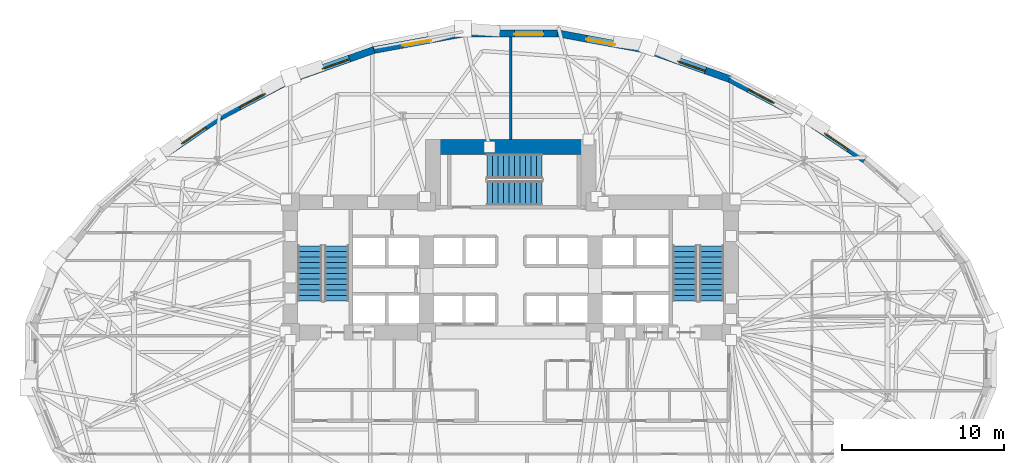
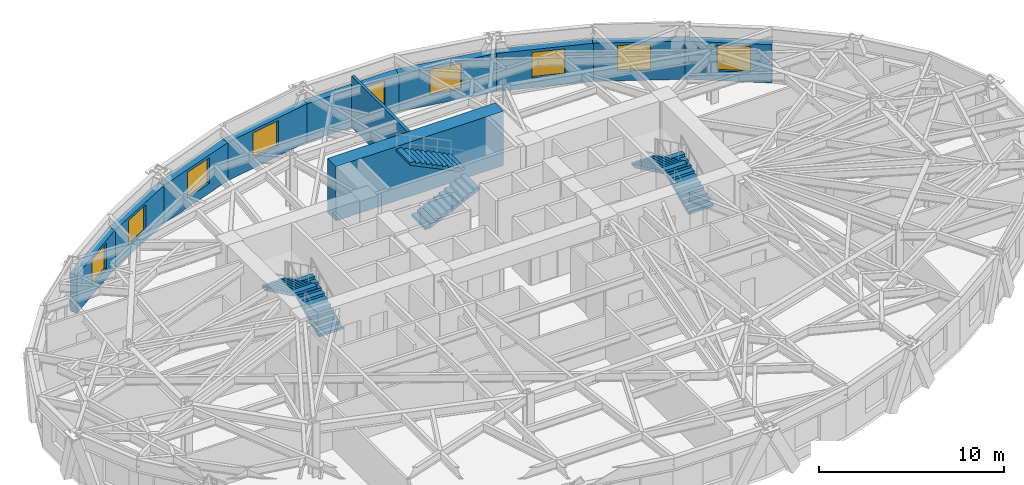
# One storey, part 10 of 14: 11 walls, 9 windows, 6 stair flights, 9 openings, 3 elements without a shape of their own.
"""IFC4 building model written with IfcOpenShell, lengths in metres."""

from ifc_helpers import new_model, si_unit, direction, frame, frame_2d, origin, place, context, subcontext, project, spatial, polyline, rectangle, outline, extrude, material, layer, layer_set, type_object, element, fill, aggregate, save


model = new_model("IFC4")

# Units and contexts
model_context = context("Model", 3, precision=1e-05, world=origin(), true_north=direction((0.0, 1.0)))
body_context = subcontext(model_context, "Body", "Model", "MODEL_VIEW")
ifc_project = project(units=[si_unit("LENGTHUNIT", "METRE"), si_unit("AREAUNIT", "SQUARE_METRE"), si_unit("VOLUMEUNIT", "CUBIC_METRE"), si_unit("PLANEANGLEUNIT", "RADIAN"), si_unit("MASSUNIT", "GRAM", prefix="KILO")], contexts=[model_context])

# Site, building, storey
site_placement = place(None, origin())
site = spatial("IfcSite", under=ifc_project, at=site_placement, CompositionType="ELEMENT")
building_placement = place(site_placement, origin())
building = spatial("IfcBuilding", under=site, at=building_placement, Name="Keldmark Tower", CompositionType="ELEMENT")
storey_placement = place(building_placement, frame((0.0, 0.0, 66.60009765625)))
storey = spatial("IfcBuildingStorey", under=building, at=storey_placement, Name="L17", CompositionType="ELEMENT", Elevation=66.60009765625)

# Walls
ifc_material_1 = material(Name="STC-58 Insulated Tenant Demising Gypsum Partition", Category="gypsum")
ifc_layer_1 = layer(ifc_material_1, 0.175048828125)
ifc_layer_set_1 = layer_set([ifc_layer_1], Name="STC-58 Insulated Tenant Demising Gypsum Partition")
wall_type_1 = type_object("IfcWallType", Name="Demising Suite Partition 175 mm", PredefinedType="PARTITIONING", material=ifc_layer_set_1)
wall_1_placement = place(storey_placement, frame((0.0, 13.300048828125, 0.0), z_axis=(0.0, 0.0, 1.0), x_axis=(0.0, 1.0, 0.0)))
element("IfcWall", 1, at=wall_1_placement, inside=storey, type_object=wall_type_1, Name="L17 Demising Suite Partition 175 mm N-MID-DIV", PredefinedType="PARTITIONING", context=body_context, shape_type="SweptSolid", body=[
    extrude(rectangle(XDim=6.33642578125, YDim=0.175048828125, at=frame_2d((3.168212890625, 0.0))), origin(), (0.0, 0.0, 1.0), 3.39990234375),
])
ifc_material_2 = material(Name="Concrete C70/85", Category="concrete")
ifc_layer_2 = layer(ifc_material_2, 0.89990234375)
ifc_layer_set_2 = layer_set([ifc_layer_2], Name="Concrete C70/85")
wall_type_2 = type_object("IfcWallType", Name="Lower Core Shear Wall 900 mm", PredefinedType="SHEAR", material=ifc_layer_set_2)
wall_2_placement = place(storey_placement, frame((-5.25, 12.85009765625, 0.0), z_axis=(0.0, 0.0, 1.0), x_axis=(1.0, 0.0, 0.0)))
element("IfcWall", 2, at=wall_2_placement, inside=storey, type_object=wall_type_2, Name="L17 North Core Shear Wall", PredefinedType="SHEAR", context=body_context, shape_type="SweptSolid", body=[
    extrude(rectangle(XDim=10.5, YDim=0.89990234375, at=frame_2d((5.25, 0.0))), origin(), (0.0, 0.0, 1.0), 3.599853515625),
])

# Wall, opening, window
ifc_material_3 = material(Name="Ironspot Manganese Brick and Kasota Buff Limestone Spandrel Assembly", Category="masonry")
ifc_layer_3 = layer(ifc_material_3, 0.43994140625)
ifc_layer_set_3 = layer_set([ifc_layer_3], Name="Ironspot Manganese Brick and Kasota Buff Limestone Spandrel Assembly")
wall_type_3 = type_object("IfcWallType", Name="Tower Brick Pier and Spandrel Wall 440 mm", PredefinedType="STANDARD", material=ifc_layer_set_3)
wall_3_placement = place(storey_placement, frame((17.9248046875, 14.7294921875, 0.0), z_axis=(0.0, 0.0, 1.0), x_axis=(0.827689135004, -0.561186863528, 0.0)))
wall_3 = element("IfcWall", 3, at=wall_3_placement, inside=storey, type_object=wall_type_3, Name="L17 Exterior Brick and Spandrel Wall 04", PredefinedType="STANDARD", context=body_context, shape_type="SweptSolid", body=[
    extrude(rectangle(XDim=4.7646484375, YDim=0.43994140625, at=frame_2d((2.38232421875, 0.0))), origin(), (0.0, 0.0, 1.0), 2.52880859375),
])
opening_1_placement = place(wall_3_placement, frame((1.7783203125, 0.0, 0.64990234375)))
opening_1 = element("IfcOpeningElement", 4, at=opening_1_placement, cuts=wall_3, Name="Opening W-02", PredefinedType="OPENING", context=body_context, shape_type="SweptSolid", body=[
    extrude(rectangle(XDim=1.800048828125, YDim=1.699951171875, at=frame_2d((0.89990234375, 0.85009765625))), frame((0.0, 0.22998046875, 0.0), z_axis=(0.0, -1.0, 0.0), x_axis=(1.0, 0.0, 0.0)), (0.0, 0.0, 1.0), 0.4599609375),
])
ifc_material_4 = material(Name="Thermally Broken Anodized Aluminum and Triple Low-E Argon Glazing", Category="aluminium")
window_type = type_object("IfcWindowType", Name="Office Deep-Set Triple Window 1800x1700", PartitioningType="TRIPLE_PANEL_VERTICAL", PredefinedType="WINDOW", material=ifc_material_4)
window_1_placement = place(opening_1_placement, origin())
window_1 = element("IfcWindow", 5, at=window_1_placement, inside=storey, type_object=window_type, Name="L17 Deep-Set Window 04", OverallHeight=1.699951171875, OverallWidth=1.800048828125, PartitioningType="SINGLE_PANEL", PredefinedType="WINDOW", context=body_context, shape_type="SweptSolid", body=[
    extrude(rectangle(XDim=1.800048828125, YDim=1.699951171875, at=frame_2d((0.89990234375, 0.85009765625))), frame((0.0, -0.010009765625, 0.0), z_axis=(0.0, -1.0, 0.0), x_axis=(1.0, 0.0, 0.0)), (0.0, 0.0, 1.0), 0.06005859375),
])
fill(opening_1, window_1)

wall_4_placement = place(storey_placement, frame((13.497802734375, 17.057861328125, 0.0), z_axis=(0.0, 0.0, 1.0), x_axis=(0.884937186938, -0.465710398395, 0.0)))
wall_4 = element("IfcWall", 6, at=wall_4_placement, inside=storey, type_object=wall_type_3, Name="L17 Exterior Brick and Spandrel Wall 05", PredefinedType="STANDARD", context=body_context, shape_type="SweptSolid", body=[
    extrude(rectangle(XDim=5.0263671875, YDim=0.43994140625, at=frame_2d((2.51318359375, 0.0))), origin(), (0.0, 0.0, 1.0), 2.52880859375),
])
opening_2_placement = place(wall_4_placement, frame((1.340576171875, 0.0, 0.64990234375)))
opening_2 = element("IfcOpeningElement", 7, at=opening_2_placement, cuts=wall_4, Name="Opening W-02", PredefinedType="OPENING", context=body_context, shape_type="SweptSolid", body=[
    extrude(rectangle(XDim=1.800048828125, YDim=1.699951171875, at=frame_2d((0.89990234375, 0.85009765625))), frame((0.0, 0.22998046875, 0.0), z_axis=(0.0, -1.0, 0.0), x_axis=(1.0, 0.0, 0.0)), (0.0, 0.0, 1.0), 0.4599609375),
])
window_2_placement = place(opening_2_placement, origin())
window_2 = element("IfcWindow", 8, at=window_2_placement, inside=storey, type_object=window_type, Name="L17 Deep-Set Window 05", OverallHeight=1.699951171875, OverallWidth=1.800048828125, PartitioningType="SINGLE_PANEL", PredefinedType="WINDOW", context=body_context, shape_type="SweptSolid", body=[
    extrude(rectangle(XDim=1.800048828125, YDim=1.699951171875, at=frame_2d((0.89990234375, 0.85009765625))), frame((0.0, -0.010009765625, 0.0), z_axis=(0.0, -1.0, 0.0), x_axis=(1.0, 0.0, 0.0)), (0.0, 0.0, 1.0), 0.06005859375),
])
fill(opening_2, window_2)

wall_5_placement = place(storey_placement, frame((8.4501953125, 18.844970703125, 0.0), z_axis=(0.0, 0.0, 1.0), x_axis=(0.942515730584, -0.334161783575, 0.0)))
wall_5 = element("IfcWall", 9, at=wall_5_placement, inside=storey, type_object=wall_type_3, Name="L17 Exterior Brick and Spandrel Wall 06", PredefinedType="STANDARD", context=body_context, shape_type="SweptSolid", body=[
    extrude(rectangle(XDim=5.385986328125, YDim=0.43994140625, at=frame_2d((2.69287109375, 0.0))), origin(), (0.0, 0.0, 1.0), 2.52880859375),
])
opening_3_placement = place(wall_5_placement, frame((1.9921875, 0.0, 0.64990234375)))
opening_3 = element("IfcOpeningElement", 10, at=opening_3_placement, cuts=wall_5, Name="Opening W-02", PredefinedType="OPENING", context=body_context, shape_type="SweptSolid", body=[
    extrude(rectangle(XDim=1.800048828125, YDim=1.699951171875, at=frame_2d((0.89990234375, 0.85009765625))), frame((0.0, 0.22998046875, 0.0), z_axis=(0.0, -1.0, 0.0), x_axis=(1.0, 0.0, 0.0)), (0.0, 0.0, 1.0), 0.4599609375),
])
window_3_placement = place(opening_3_placement, origin())
window_3 = element("IfcWindow", 11, at=window_3_placement, inside=storey, type_object=window_type, Name="L17 Deep-Set Window 06", OverallHeight=1.699951171875, OverallWidth=1.800048828125, PartitioningType="SINGLE_PANEL", PredefinedType="WINDOW", context=body_context, shape_type="SweptSolid", body=[
    extrude(rectangle(XDim=1.800048828125, YDim=1.699951171875, at=frame_2d((0.89990234375, 0.85009765625))), frame((0.0, -0.010009765625, 0.0), z_axis=(0.0, -1.0, 0.0), x_axis=(1.0, 0.0, 0.0)), (0.0, 0.0, 1.0), 0.06005859375),
])
fill(opening_3, window_3)

wall_6_placement = place(storey_placement, frame((2.877685546875, 19.8681640625, 0.0), z_axis=(0.0, 0.0, 1.0), x_axis=(0.983468646836, -0.181078493177, 0.0)))
wall_6 = element("IfcWall", 12, at=wall_6_placement, inside=storey, type_object=wall_type_3, Name="L17 Exterior Brick and Spandrel Wall 07", PredefinedType="STANDARD", context=body_context, shape_type="SweptSolid", body=[
    extrude(rectangle(XDim=5.700439453125, YDim=0.43994140625, at=frame_2d((2.85009765625, 0.0))), origin(), (0.0, 0.0, 1.0), 2.52880859375),
])
opening_4_placement = place(wall_6_placement, frame((1.826904296875, 0.0, 0.64990234375)))
opening_4 = element("IfcOpeningElement", 13, at=opening_4_placement, cuts=wall_6, Name="Opening W-02", PredefinedType="OPENING", context=body_context, shape_type="SweptSolid", body=[
    extrude(rectangle(XDim=1.800048828125, YDim=1.699951171875, at=frame_2d((0.89990234375, 0.85009765625))), frame((0.0, 0.22998046875, 0.0), z_axis=(0.0, -1.0, 0.0), x_axis=(1.0, 0.0, 0.0)), (0.0, 0.0, 1.0), 0.4599609375),
])
window_4_placement = place(opening_4_placement, origin())
window_4 = element("IfcWindow", 14, at=window_4_placement, inside=storey, type_object=window_type, Name="L17 Deep-Set Window 07", OverallHeight=1.699951171875, OverallWidth=1.800048828125, PartitioningType="SINGLE_PANEL", PredefinedType="WINDOW", context=body_context, shape_type="SweptSolid", body=[
    extrude(rectangle(XDim=1.800048828125, YDim=1.699951171875, at=frame_2d((0.89990234375, 0.85009765625))), frame((0.0, -0.010009765625, 0.0), z_axis=(0.0, -1.0, 0.0), x_axis=(1.0, 0.0, 0.0)), (0.0, 0.0, 1.0), 0.06005859375),
])
fill(opening_4, window_4)

wall_7_placement = place(storey_placement, frame((-2.91748046875, 19.864501953125, 0.0), z_axis=(0.0, 0.0, 1.0), x_axis=(1.0, 0.0, 0.0)))
wall_7 = element("IfcWall", 15, at=wall_7_placement, inside=storey, type_object=wall_type_3, Name="L17 Exterior Brick and Spandrel Wall 08", PredefinedType="STANDARD", context=body_context, shape_type="SweptSolid", body=[
    extrude(rectangle(XDim=5.8349609375, YDim=0.43994140625, at=frame_2d((2.91748046875, 0.0))), origin(), (0.0, 0.0, 1.0), 2.52880859375),
])
opening_5_placement = place(wall_7_placement, frame((3.1376953125, 0.0, 0.64990234375)))
opening_5 = element("IfcOpeningElement", 16, at=opening_5_placement, cuts=wall_7, Name="Opening W-02", PredefinedType="OPENING", context=body_context, shape_type="SweptSolid", body=[
    extrude(rectangle(XDim=1.800048828125, YDim=1.699951171875, at=frame_2d((0.89990234375, 0.85009765625))), frame((0.0, 0.22998046875, 0.0), z_axis=(0.0, -1.0, 0.0), x_axis=(1.0, 0.0, 0.0)), (0.0, 0.0, 1.0), 0.4599609375),
])
window_5_placement = place(opening_5_placement, origin())
window_5 = element("IfcWindow", 17, at=window_5_placement, inside=storey, type_object=window_type, Name="L17 Deep-Set Window 08", OverallHeight=1.699951171875, OverallWidth=1.800048828125, PartitioningType="SINGLE_PANEL", PredefinedType="WINDOW", context=body_context, shape_type="SweptSolid", body=[
    extrude(rectangle(XDim=1.800048828125, YDim=1.699951171875, at=frame_2d((0.89990234375, 0.85009765625))), frame((0.0, -0.010009765625, 0.0), z_axis=(0.0, -1.0, 0.0), x_axis=(1.0, 0.0, 0.0)), (0.0, 0.0, 1.0), 0.06005859375),
])
fill(opening_5, window_5)

wall_8_placement = place(storey_placement, frame((-8.48388671875, 18.8359375, 0.0), z_axis=(0.0, 0.0, 1.0), x_axis=(0.983468646836, 0.181078493177, 0.0)))
wall_8 = element("IfcWall", 18, at=wall_8_placement, inside=storey, type_object=wall_type_3, Name="L17 Exterior Brick and Spandrel Wall 09", PredefinedType="STANDARD", context=body_context, shape_type="SweptSolid", body=[
    extrude(rectangle(XDim=5.700439453125, YDim=0.43994140625, at=frame_2d((2.85009765625, 0.0))), origin(), (0.0, 0.0, 1.0), 2.52880859375),
])
opening_6_placement = place(wall_8_placement, frame((1.826904296875, 0.0, 0.64990234375)))
opening_6 = element("IfcOpeningElement", 19, at=opening_6_placement, cuts=wall_8, Name="Opening W-02", PredefinedType="OPENING", context=body_context, shape_type="SweptSolid", body=[
    extrude(rectangle(XDim=1.800048828125, YDim=1.699951171875, at=frame_2d((0.89990234375, 0.85009765625))), frame((0.0, 0.22998046875, 0.0), z_axis=(0.0, -1.0, 0.0), x_axis=(1.0, 0.0, 0.0)), (0.0, 0.0, 1.0), 0.4599609375),
])
window_6_placement = place(opening_6_placement, origin())
window_6 = element("IfcWindow", 20, at=window_6_placement, inside=storey, type_object=window_type, Name="L17 Deep-Set Window 09", OverallHeight=1.699951171875, OverallWidth=1.800048828125, PartitioningType="SINGLE_PANEL", PredefinedType="WINDOW", context=body_context, shape_type="SweptSolid", body=[
    extrude(rectangle(XDim=1.800048828125, YDim=1.699951171875, at=frame_2d((0.89990234375, 0.85009765625))), frame((0.0, -0.010009765625, 0.0), z_axis=(0.0, -1.0, 0.0), x_axis=(1.0, 0.0, 0.0)), (0.0, 0.0, 1.0), 0.06005859375),
])
fill(opening_6, window_6)

wall_9_placement = place(storey_placement, frame((-13.526611328125, 17.045166015625, 0.0), z_axis=(0.0, 0.0, 1.0), x_axis=(0.942515730584, 0.334161783575, 0.0)))
wall_9 = element("IfcWall", 21, at=wall_9_placement, inside=storey, type_object=wall_type_3, Name="L17 Exterior Brick and Spandrel Wall 10", PredefinedType="STANDARD", context=body_context, shape_type="SweptSolid", body=[
    extrude(rectangle(XDim=5.385986328125, YDim=0.43994140625, at=frame_2d((2.69287109375, 0.0))), origin(), (0.0, 0.0, 1.0), 2.52880859375),
])
opening_7_placement = place(wall_9_placement, frame((1.9921875, 0.0, 0.64990234375)))
opening_7 = element("IfcOpeningElement", 22, at=opening_7_placement, cuts=wall_9, Name="Opening W-02", PredefinedType="OPENING", context=body_context, shape_type="SweptSolid", body=[
    extrude(rectangle(XDim=1.800048828125, YDim=1.699951171875, at=frame_2d((0.89990234375, 0.85009765625))), frame((0.0, 0.22998046875, 0.0), z_axis=(0.0, -1.0, 0.0), x_axis=(1.0, 0.0, 0.0)), (0.0, 0.0, 1.0), 0.4599609375),
])
window_7_placement = place(opening_7_placement, origin())
window_7 = element("IfcWindow", 23, at=window_7_placement, inside=storey, type_object=window_type, Name="L17 Deep-Set Window 10", OverallHeight=1.699951171875, OverallWidth=1.800048828125, PartitioningType="SINGLE_PANEL", PredefinedType="WINDOW", context=body_context, shape_type="SweptSolid", body=[
    extrude(rectangle(XDim=1.800048828125, YDim=1.699951171875, at=frame_2d((0.89990234375, 0.85009765625))), frame((0.0, -0.010009765625, 0.0), z_axis=(0.0, -1.0, 0.0), x_axis=(1.0, 0.0, 0.0)), (0.0, 0.0, 1.0), 0.06005859375),
])
fill(opening_7, window_7)

wall_10_placement = place(storey_placement, frame((-17.94580078125, 14.717041015625, 0.0), z_axis=(0.0, 0.0, 1.0), x_axis=(0.884937186938, 0.465710398395, 0.0)))
wall_10 = element("IfcWall", 24, at=wall_10_placement, inside=storey, type_object=wall_type_3, Name="L17 Exterior Brick and Spandrel Wall 11", PredefinedType="STANDARD", context=body_context, shape_type="SweptSolid", body=[
    extrude(rectangle(XDim=5.0263671875, YDim=0.43994140625, at=frame_2d((2.51318359375, 0.0))), origin(), (0.0, 0.0, 1.0), 2.52880859375),
])
opening_8_placement = place(wall_10_placement, frame((1.340576171875, 0.0, 0.64990234375)))
opening_8 = element("IfcOpeningElement", 25, at=opening_8_placement, cuts=wall_10, Name="Opening W-02", PredefinedType="OPENING", context=body_context, shape_type="SweptSolid", body=[
    extrude(rectangle(XDim=1.800048828125, YDim=1.699951171875, at=frame_2d((0.89990234375, 0.85009765625))), frame((0.0, 0.22998046875, 0.0), z_axis=(0.0, -1.0, 0.0), x_axis=(1.0, 0.0, 0.0)), (0.0, 0.0, 1.0), 0.4599609375),
])
window_8_placement = place(opening_8_placement, origin())
window_8 = element("IfcWindow", 26, at=window_8_placement, inside=storey, type_object=window_type, Name="L17 Deep-Set Window 11", OverallHeight=1.699951171875, OverallWidth=1.800048828125, PartitioningType="SINGLE_PANEL", PredefinedType="WINDOW", context=body_context, shape_type="SweptSolid", body=[
    extrude(rectangle(XDim=1.800048828125, YDim=1.699951171875, at=frame_2d((0.89990234375, 0.85009765625))), frame((0.0, -0.010009765625, 0.0), z_axis=(0.0, -1.0, 0.0), x_axis=(1.0, 0.0, 0.0)), (0.0, 0.0, 1.0), 0.06005859375),
])
fill(opening_8, window_8)

wall_11_placement = place(storey_placement, frame((-21.868408203125, 12.0556640625, 0.0), z_axis=(0.0, 0.0, 1.0), x_axis=(0.827689135004, 0.561186863528, 0.0)))
wall_11 = element("IfcWall", 27, at=wall_11_placement, inside=storey, type_object=wall_type_3, Name="L17 Exterior Brick and Spandrel Wall 12", PredefinedType="STANDARD", context=body_context, shape_type="SweptSolid", body=[
    extrude(rectangle(XDim=4.7646484375, YDim=0.43994140625, at=frame_2d((2.38232421875, 0.0))), origin(), (0.0, 0.0, 1.0), 2.52880859375),
])
opening_9_placement = place(wall_11_placement, frame((1.82763671875, 0.0, 0.64990234375)))
opening_9 = element("IfcOpeningElement", 28, at=opening_9_placement, cuts=wall_11, Name="Opening W-02", PredefinedType="OPENING", context=body_context, shape_type="SweptSolid", body=[
    extrude(rectangle(XDim=1.800048828125, YDim=1.699951171875, at=frame_2d((0.89990234375, 0.85009765625))), frame((0.0, 0.22998046875, 0.0), z_axis=(0.0, -1.0, 0.0), x_axis=(1.0, 0.0, 0.0)), (0.0, 0.0, 1.0), 0.4599609375),
])
window_9_placement = place(opening_9_placement, origin())
window_9 = element("IfcWindow", 29, at=window_9_placement, inside=storey, type_object=window_type, Name="L17 Deep-Set Window 12", OverallHeight=1.699951171875, OverallWidth=1.800048828125, PartitioningType="SINGLE_PANEL", PredefinedType="WINDOW", context=body_context, shape_type="SweptSolid", body=[
    extrude(rectangle(XDim=1.800048828125, YDim=1.699951171875, at=frame_2d((0.89990234375, 0.85009765625))), frame((0.0, -0.010009765625, 0.0), z_axis=(0.0, -1.0, 0.0), x_axis=(1.0, 0.0, 0.0)), (0.0, 0.0, 1.0), 0.06005859375),
])
fill(opening_9, window_9)

# Stair, stair flights
ifc_material_5 = material(Name="Concrete C40/50", Category="concrete")
stair_type = type_object("IfcStairType", Name="Precast Concrete Core Exit Stair", PredefinedType="HALF_TURN_STAIR", material=ifc_material_5)
stair_1_placement = place(storey_placement, origin())
stair_1 = element("IfcStair", 30, at=stair_1_placement, inside=storey, type_object=stair_type, Name="L17 Exit Stair ST1", PredefinedType="HALF_TURN_STAIR")
ifc_material_6 = material(Name="Concrete C40/50", Category="concrete")
stair_flight_type = type_object("IfcStairFlightType", Name="Precast Concrete Stair Flight 1500 mm", PredefinedType="STRAIGHT", material=ifc_material_6)
stair_flight_1_placement = place(storey_placement, frame((-10.75, 3.35009765625, 0.0), z_axis=(0.0, 0.0, 1.0), x_axis=(0.0, 1.0, 0.0)))
stair_flight_1 = element("IfcStairFlight", 31, at=stair_flight_1_placement, type_object=stair_flight_type, Name="ST1 flight 1", NumberOfRisers=11, NumberOfTreads=10, PredefinedType="STRAIGHT", RiserHeight=0.163636364, TreadLength=0.34, context=body_context, shape_type="SweptSolid", body=[
    extrude(outline(polyline([(0.0, 0.0), (0.0, 0.16357421875), (0.340087890625, 0.16357421875), (0.340087890625, 0.327392578125), (0.679931640625, 0.327392578125), (0.679931640625, 0.490966796875), (1.02001953125, 0.490966796875), (1.02001953125, 0.654541015625), (1.360107421875, 0.654541015625), (1.360107421875, 0.818115234375), (1.699951171875, 0.818115234375), (1.699951171875, 0.98193359375), (2.0400390625, 0.98193359375), (2.0400390625, 1.1455078125), (2.3798828125, 1.1455078125), (2.3798828125, 1.30908203125), (2.719970703125, 1.30908203125), (2.719970703125, 1.47265625), (3.06005859375, 1.47265625), (3.06005859375, 1.636474609375), (3.39990234375, 1.636474609375), (3.39990234375, 1.800048828125), (3.39990234375, 1.469970703125), (0.345703125, 0.0), (0.0, 0.0)])), frame((0.0, 0.75, 0.0), z_axis=(0.0, -1.0, 0.0), x_axis=(1.0, 0.0, 0.0)), (0.0, 0.0, 1.0), 1.5),
])
stair_flight_2_placement = place(storey_placement, frame((-12.39990234375, 6.75, 1.7998046875), z_axis=(0.0, 0.0, 1.0), x_axis=(0.0, -1.0, 0.0)))
stair_flight_2 = element("IfcStairFlight", 32, at=stair_flight_2_placement, type_object=stair_flight_type, Name="ST1 flight 2", NumberOfRisers=11, NumberOfTreads=10, PredefinedType="STRAIGHT", RiserHeight=0.163636364, TreadLength=0.34, context=body_context, shape_type="SweptSolid", body=[
    extrude(outline(polyline([(0.0, 0.0), (0.0, 0.16357421875), (0.340087890625, 0.16357421875), (0.340087890625, 0.327392578125), (0.679931640625, 0.327392578125), (0.679931640625, 0.490966796875), (1.02001953125, 0.490966796875), (1.02001953125, 0.654541015625), (1.360107421875, 0.654541015625), (1.360107421875, 0.818115234375), (1.699951171875, 0.818115234375), (1.699951171875, 0.98193359375), (2.0400390625, 0.98193359375), (2.0400390625, 1.1455078125), (2.3798828125, 1.1455078125), (2.3798828125, 1.30908203125), (2.719970703125, 1.30908203125), (2.719970703125, 1.47265625), (3.06005859375, 1.47265625), (3.06005859375, 1.636474609375), (3.39990234375, 1.636474609375), (3.39990234375, 1.800048828125), (3.39990234375, 1.469970703125), (0.345703125, 0.0), (0.0, 0.0)])), frame((0.0, 0.75, 0.0), z_axis=(0.0, -1.0, 0.0), x_axis=(1.0, 0.0, 0.0)), (0.0, 0.0, 1.0), 1.5),
])
aggregate(stair_1, [stair_flight_1, stair_flight_2])

stair_2_placement = place(storey_placement, origin())
stair_2 = element("IfcStair", 33, at=stair_2_placement, inside=storey, type_object=stair_type, Name="L17 Exit Stair ST2", PredefinedType="HALF_TURN_STAIR")
stair_flight_3_placement = place(storey_placement, frame((12.39990234375, 3.35009765625, 0.0), z_axis=(0.0, 0.0, 1.0), x_axis=(0.0, 1.0, 0.0)))
stair_flight_3 = element("IfcStairFlight", 34, at=stair_flight_3_placement, type_object=stair_flight_type, Name="ST2 flight 1", NumberOfRisers=11, NumberOfTreads=10, PredefinedType="STRAIGHT", RiserHeight=0.163636364, TreadLength=0.34, context=body_context, shape_type="SweptSolid", body=[
    extrude(outline(polyline([(0.0, 0.0), (0.0, 0.16357421875), (0.340087890625, 0.16357421875), (0.340087890625, 0.327392578125), (0.679931640625, 0.327392578125), (0.679931640625, 0.490966796875), (1.02001953125, 0.490966796875), (1.02001953125, 0.654541015625), (1.360107421875, 0.654541015625), (1.360107421875, 0.818115234375), (1.699951171875, 0.818115234375), (1.699951171875, 0.98193359375), (2.0400390625, 0.98193359375), (2.0400390625, 1.1455078125), (2.3798828125, 1.1455078125), (2.3798828125, 1.30908203125), (2.719970703125, 1.30908203125), (2.719970703125, 1.47265625), (3.06005859375, 1.47265625), (3.06005859375, 1.636474609375), (3.39990234375, 1.636474609375), (3.39990234375, 1.800048828125), (3.39990234375, 1.469970703125), (0.345703125, 0.0), (0.0, 0.0)])), frame((0.0, 0.75, 0.0), z_axis=(0.0, -1.0, 0.0), x_axis=(1.0, 0.0, 0.0)), (0.0, 0.0, 1.0), 1.5),
])
stair_flight_4_placement = place(storey_placement, frame((10.75, 6.75, 1.7998046875), z_axis=(0.0, 0.0, 1.0), x_axis=(0.0, -1.0, 0.0)))
stair_flight_4 = element("IfcStairFlight", 35, at=stair_flight_4_placement, type_object=stair_flight_type, Name="ST2 flight 2", NumberOfRisers=11, NumberOfTreads=10, PredefinedType="STRAIGHT", RiserHeight=0.163636364, TreadLength=0.34, context=body_context, shape_type="SweptSolid", body=[
    extrude(outline(polyline([(0.0, 0.0), (0.0, 0.16357421875), (0.340087890625, 0.16357421875), (0.340087890625, 0.327392578125), (0.679931640625, 0.327392578125), (0.679931640625, 0.490966796875), (1.02001953125, 0.490966796875), (1.02001953125, 0.654541015625), (1.360107421875, 0.654541015625), (1.360107421875, 0.818115234375), (1.699951171875, 0.818115234375), (1.699951171875, 0.98193359375), (2.0400390625, 0.98193359375), (2.0400390625, 1.1455078125), (2.3798828125, 1.1455078125), (2.3798828125, 1.30908203125), (2.719970703125, 1.30908203125), (2.719970703125, 1.47265625), (3.06005859375, 1.47265625), (3.06005859375, 1.636474609375), (3.39990234375, 1.636474609375), (3.39990234375, 1.800048828125), (3.39990234375, 1.469970703125), (0.345703125, 0.0), (0.0, 0.0)])), frame((0.0, 0.75, 0.0), z_axis=(0.0, -1.0, 0.0), x_axis=(1.0, 0.0, 0.0)), (0.0, 0.0, 1.0), 1.5),
])
aggregate(stair_2, [stair_flight_3, stair_flight_4])

stair_3_placement = place(storey_placement, origin())
stair_3 = element("IfcStair", 36, at=stair_3_placement, inside=storey, type_object=stair_type, Name="L17 Exit Stair ST3", PredefinedType="HALF_TURN_STAIR")
stair_flight_5_placement = place(storey_placement, frame((-1.47509765625, 10.0, 0.0), z_axis=(0.0, 0.0, 1.0), x_axis=(1.0, 0.0, 0.0)))
stair_flight_5 = element("IfcStairFlight", 37, at=stair_flight_5_placement, type_object=stair_flight_type, Name="ST3 flight 1", NumberOfRisers=11, NumberOfTreads=10, PredefinedType="STRAIGHT", RiserHeight=0.163636364, TreadLength=0.34, context=body_context, shape_type="SweptSolid", body=[
    extrude(outline(polyline([(0.0, 0.0), (0.0, 0.16357421875), (0.340087890625, 0.16357421875), (0.340087890625, 0.327392578125), (0.679931640625, 0.327392578125), (0.679931640625, 0.490966796875), (1.02001953125, 0.490966796875), (1.02001953125, 0.654541015625), (1.360107421875, 0.654541015625), (1.360107421875, 0.818115234375), (1.699951171875, 0.818115234375), (1.699951171875, 0.98193359375), (2.0400390625, 0.98193359375), (2.0400390625, 1.1455078125), (2.3798828125, 1.1455078125), (2.3798828125, 1.30908203125), (2.719970703125, 1.30908203125), (2.719970703125, 1.47265625), (3.06005859375, 1.47265625), (3.06005859375, 1.636474609375), (3.39990234375, 1.636474609375), (3.39990234375, 1.800048828125), (3.39990234375, 1.469970703125), (0.345703125, 0.0), (0.0, 0.0)])), frame((0.0, 0.75, 0.0), z_axis=(0.0, -1.0, 0.0), x_axis=(1.0, 0.0, 0.0)), (0.0, 0.0, 1.0), 1.5),
])
stair_flight_6_placement = place(storey_placement, frame((1.925048828125, 11.64990234375, 1.7998046875), z_axis=(0.0, 0.0, 1.0), x_axis=(-1.0, 0.0, 0.0)))
stair_flight_6 = element("IfcStairFlight", 38, at=stair_flight_6_placement, type_object=stair_flight_type, Name="ST3 flight 2", NumberOfRisers=11, NumberOfTreads=10, PredefinedType="STRAIGHT", RiserHeight=0.163636364, TreadLength=0.34, context=body_context, shape_type="SweptSolid", body=[
    extrude(outline(polyline([(0.0, 0.0), (0.0, 0.16357421875), (0.340087890625, 0.16357421875), (0.340087890625, 0.327392578125), (0.679931640625, 0.327392578125), (0.679931640625, 0.490966796875), (1.02001953125, 0.490966796875), (1.02001953125, 0.654541015625), (1.360107421875, 0.654541015625), (1.360107421875, 0.818115234375), (1.699951171875, 0.818115234375), (1.699951171875, 0.98193359375), (2.0400390625, 0.98193359375), (2.0400390625, 1.1455078125), (2.3798828125, 1.1455078125), (2.3798828125, 1.30908203125), (2.719970703125, 1.30908203125), (2.719970703125, 1.47265625), (3.06005859375, 1.47265625), (3.06005859375, 1.636474609375), (3.39990234375, 1.636474609375), (3.39990234375, 1.800048828125), (3.39990234375, 1.469970703125), (0.345703125, 0.0), (0.0, 0.0)])), frame((0.0, 0.75, 0.0), z_axis=(0.0, -1.0, 0.0), x_axis=(1.0, 0.0, 0.0)), (0.0, 0.0, 1.0), 1.5),
])
aggregate(stair_3, [stair_flight_5, stair_flight_6])

save(model, "model.ifc")
